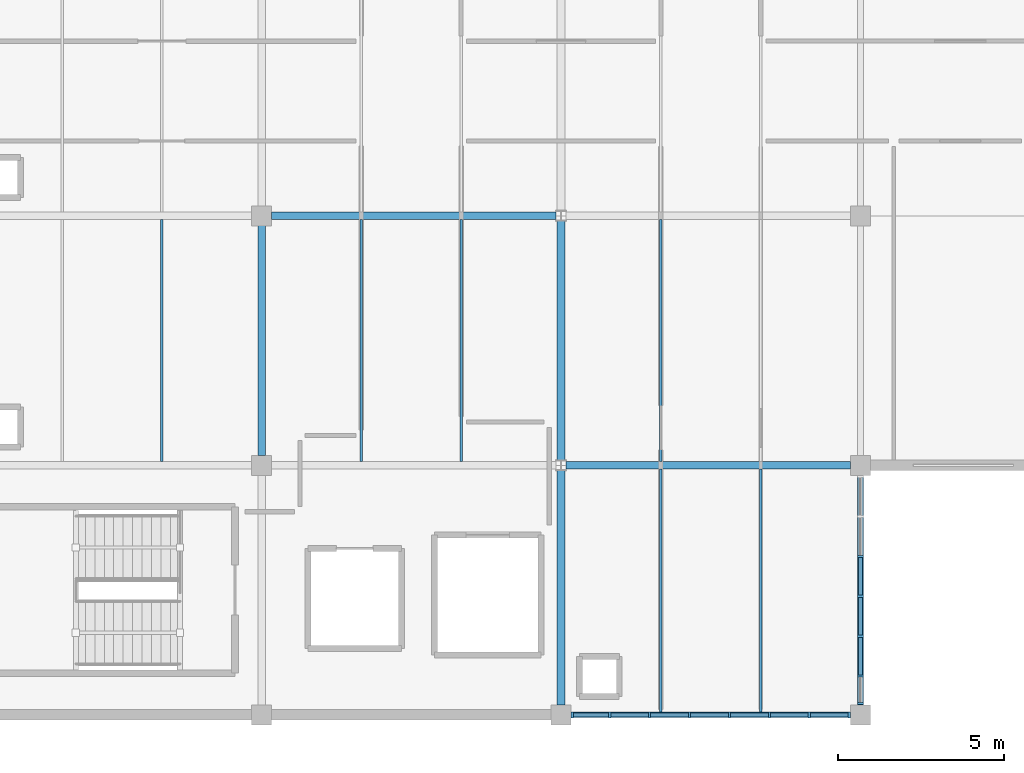
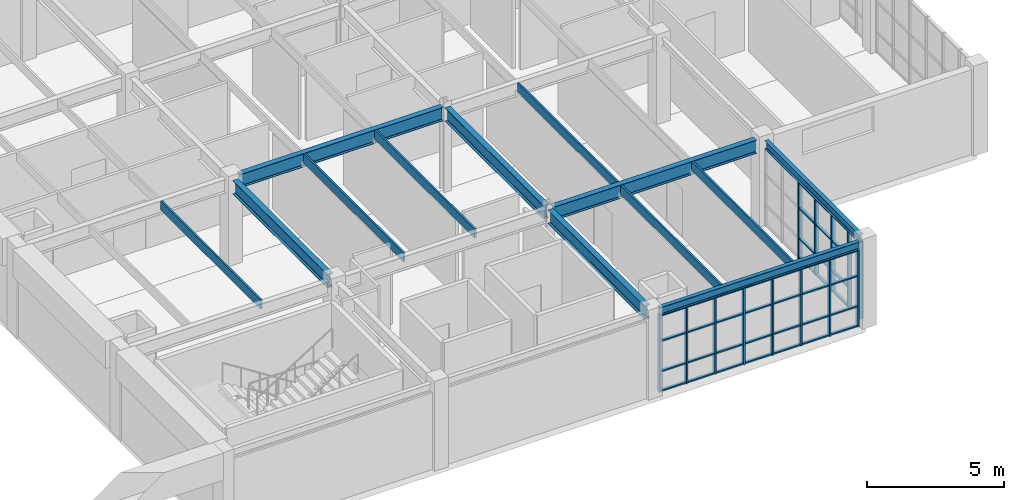
# One storey, part 20 of 76: 53 members, 13 beams, 2 elements without a shape of their own.
"""IFC4 building model written with IfcOpenShell, lengths in metres."""

from ifc_helpers import new_model, si_unit, direction, frame, origin, origin_2d, place, context, subcontext, project, spatial, rectangle, i_section, extrude, material, layer, layer_set, material_profile, profile_set, type_object, element, aggregate, save


model = new_model("IFC4")

# Units and contexts
model_context = context("Model", 3, precision=1e-05, world=origin(), true_north=direction((0.0, 1.0)))
body_context = subcontext(model_context, "Body", "Model", "MODEL_VIEW")
ifc_project = project(units=[si_unit("LENGTHUNIT", "METRE"), si_unit("AREAUNIT", "SQUARE_METRE"), si_unit("VOLUMEUNIT", "CUBIC_METRE"), si_unit("PLANEANGLEUNIT", "RADIAN"), si_unit("MASSUNIT", "GRAM", prefix="KILO")], contexts=[model_context])

# Site, building, storey
site_placement = place(None, origin())
site = spatial("IfcSite", under=ifc_project, at=site_placement, CompositionType="ELEMENT")
building_placement = place(site_placement, origin())
building = spatial("IfcBuilding", under=site, at=building_placement, Name="Marnridge Secondary College", CompositionType="ELEMENT")
storey_placement = place(building_placement, frame((0.0, 0.0, 4.5)))
storey = spatial("IfcBuildingStorey", under=building, at=storey_placement, Name="L01", CompositionType="ELEMENT", Elevation=4.5)

# Beams
ifc_material_1 = material(Name="Engineered timber LVL E13.2", Category="wood")
ifc_material_profile_1 = material_profile(ifc_material_1, rectangle(XDim=0.074951171875, YDim=0.39990234375, at=origin_2d()), Name="LVL 75x400")
ifc_profile_set_1 = profile_set([ifc_material_profile_1], Name="Engineered timber LVL E13.2")
beam_type_1 = type_object("IfcBeamType", Name="BM-LVL400-INT", PredefinedType="JOIST", material=ifc_profile_set_1)
for number, where, z_axis, x_axis, name in (
    (1, (96.0, 7.60791015625, 3.570068359375), (0.0, 1.0, 0.0), (-1.0, 0.0, 0.0), "Beam BJ-L01-0545"),
    (2, (102.0, 7.60791015625, 3.570068359375), (0.0, 1.0, 0.0), (-1.0, 0.0, 0.0), "Beam BJ-L01-0550"),
    (3, (105.0, 7.60791015625, 3.570068359375), (0.0, 1.0, 0.0), (-1.0, 0.0, 0.0), "Beam BJ-L01-0551"),
):
    element("IfcBeam", number, at=place(storey_placement, frame(where, z_axis=z_axis, x_axis=x_axis)), inside=storey, type_object=beam_type_1, Name=name, PredefinedType="JOIST", context=body_context, shape_type="SweptSolid", body=[
        extrude(rectangle(XDim=0.074951171875, YDim=0.39990234375, at=origin_2d()), origin(), (0.0, 0.0, 1.0), 7.2841796875),
    ])
for number, where, z_axis, x_axis, name in (
    (4, (111.0, 0.07958984375, 3.570068359375), (0.0, 1.0, 0.0), (-1.0, 0.0, 0.0), "Beam BJ-L01-0556"),
    (5, (114.0, 0.07958984375, 3.570068359375), (0.0, 1.0, 0.0), (-1.0, 0.0, 0.0), "Beam BJ-L01-0557"),
):
    element("IfcBeam", number, at=place(storey_placement, frame(where, z_axis=z_axis, x_axis=x_axis)), inside=storey, type_object=beam_type_1, Name=name, PredefinedType="JOIST", context=body_context, shape_type="SweptSolid", body=[
        extrude(rectangle(XDim=0.074951171875, YDim=0.39990234375, at=origin_2d()), origin(), (0.0, 0.0, 1.0), 7.3125),
    ])
beam_1_placement = place(storey_placement, frame((111.0, 7.60791015625, 3.570068359375), z_axis=(0.0, 1.0, 0.0), x_axis=(-1.0, 0.0, 0.0)))
element("IfcBeam", 6, at=beam_1_placement, inside=storey, type_object=beam_type_1, Name="Beam BJ-L01-0558", PredefinedType="JOIST", context=body_context, shape_type="SweptSolid", body=[
    extrude(rectangle(XDim=0.074951171875, YDim=0.39990234375, at=origin_2d()), origin(), (0.0, 0.0, 1.0), 7.2841796875),
])
ifc_material_2 = material(Name="Structural steel Grade 350 (AS/NZS 3679.1/.2, fy = 340-360 MPa)", Category="steel")
ifc_material_profile_2 = material_profile(ifc_material_2, i_section(OverallWidth=0.1708984375, OverallDepth=0.35205078125, WebThickness=0.0068359375, FlangeThickness=0.009765625, FilletRadius=0.011474609375, at=origin_2d()), Name="360UB44.7")
ifc_profile_set_2 = profile_set([ifc_material_profile_2], Name="Structural steel Grade 350 (AS/NZS 3679.1/.2, fy = 340-360 MPa)")
beam_type_2 = type_object("IfcBeamType", Name="BM-UB360-EXT", PredefinedType="SPANDREL", material=ifc_profile_set_2)
beam_2_placement = place(storey_placement, frame((108.2939453125, 0.0, 3.593994140625), z_axis=(1.0, 0.0, 0.0), x_axis=(0.0, 1.0, 0.0)))
element("IfcBeam", 7, at=beam_2_placement, inside=storey, type_object=beam_type_2, Name="Beam BS-L01-0535", PredefinedType="SPANDREL", context=body_context, shape_type="SweptSolid", body=[
    extrude(i_section(OverallWidth=0.1708984375, OverallDepth=0.35205078125, WebThickness=0.0068359375, FlangeThickness=0.009765625, FilletRadius=0.011474609375, at=origin_2d()), origin(), (0.0, 0.0, 1.0), 8.412109375),
])
beam_3_placement = place(storey_placement, frame((117.0, 0.2939453125, 3.593994140625), z_axis=(0.0, 1.0, 0.0), x_axis=(-1.0, 0.0, 0.0)))
element("IfcBeam", 8, at=beam_3_placement, inside=storey, type_object=beam_type_2, Name="Beam BS-L01-0537", PredefinedType="SPANDREL", context=body_context, shape_type="SweptSolid", body=[
    extrude(i_section(OverallWidth=0.1708984375, OverallDepth=0.35205078125, WebThickness=0.0068359375, FlangeThickness=0.009765625, FilletRadius=0.011474609375, at=origin_2d()), origin(), (0.0, 0.0, 1.0), 6.912109375),
])
ifc_material_3 = material(Name="Structural steel Grade 350 (AS/NZS 3679.1/.2, fy = 340-360 MPa)", Category="steel")
ifc_material_profile_3 = material_profile(ifc_material_3, i_section(OverallWidth=0.2275390625, OverallDepth=0.602294921875, WebThickness=0.010498046875, FlangeThickness=0.014892578125, FilletRadius=0.013916015625, at=origin_2d()), Name="610UB101")
ifc_profile_set_3 = profile_set([ifc_material_profile_3], Name="Structural steel Grade 350 (AS/NZS 3679.1/.2, fy = 340-360 MPa)")
beam_type_3 = type_object("IfcBeamType", Name="BM-UB610A-INT", PredefinedType="BEAM", material=ifc_profile_set_3)
beam_4_placement = place(storey_placement, frame((99.0, 7.7939453125, 3.468994140625), z_axis=(0.0, 1.0, 0.0), x_axis=(-1.0, 0.0, 0.0)))
element("IfcBeam", 9, at=beam_4_placement, inside=storey, type_object=beam_type_3, Name="Beam B-L01-0521", PredefinedType="BEAM", context=body_context, shape_type="SweptSolid", body=[
    extrude(i_section(OverallWidth=0.2275390625, OverallDepth=0.602294921875, WebThickness=0.010498046875, FlangeThickness=0.014892578125, FilletRadius=0.013916015625, at=origin_2d()), origin(), (0.0, 0.0, 1.0), 6.912109375),
])
beam_5_placement = place(storey_placement, frame((108.0, 0.2939453125, 3.468994140625), z_axis=(0.0, 1.0, 0.0), x_axis=(-1.0, 0.0, 0.0)))
element("IfcBeam", 10, at=beam_5_placement, inside=storey, type_object=beam_type_3, Name="Beam B-L01-0528", PredefinedType="BEAM", context=body_context, shape_type="SweptSolid", body=[
    extrude(i_section(OverallWidth=0.2275390625, OverallDepth=0.602294921875, WebThickness=0.010498046875, FlangeThickness=0.014892578125, FilletRadius=0.013916015625, at=origin_2d()), origin(), (0.0, 0.0, 1.0), 7.0517578125),
])
beam_6_placement = place(storey_placement, frame((99.2939453125, 15.0, 3.468994140625), z_axis=(1.0, 0.0, 0.0), x_axis=(0.0, 1.0, 0.0)))
element("IfcBeam", 11, at=beam_6_placement, inside=storey, type_object=beam_type_3, Name="Beam B-L01-0529", PredefinedType="BEAM", context=body_context, shape_type="SweptSolid", body=[
    extrude(i_section(OverallWidth=0.2275390625, OverallDepth=0.602294921875, WebThickness=0.010498046875, FlangeThickness=0.014892578125, FilletRadius=0.013916015625, at=origin_2d()), origin(), (0.0, 0.0, 1.0), 8.557373046875),
])
beam_7_placement = place(storey_placement, frame((108.0, 7.654296875, 3.468994140625), z_axis=(0.0, 1.0, 0.0), x_axis=(-1.0, 0.0, 0.0)))
element("IfcBeam", 12, at=beam_7_placement, inside=storey, type_object=beam_type_3, Name="Beam B-L01-0530", PredefinedType="BEAM", context=body_context, shape_type="SweptSolid", body=[
    extrude(i_section(OverallWidth=0.2275390625, OverallDepth=0.602294921875, WebThickness=0.010498046875, FlangeThickness=0.014892578125, FilletRadius=0.013916015625, at=origin_2d()), origin(), (0.0, 0.0, 1.0), 7.19140625),
])
beam_8_placement = place(storey_placement, frame((108.148681640625, 7.5, 3.468994140625), z_axis=(1.0, 0.0, 0.0), x_axis=(0.0, 1.0, 0.0)))
element("IfcBeam", 13, at=beam_8_placement, inside=storey, type_object=beam_type_3, Name="Beam B-L01-0536", PredefinedType="BEAM", context=body_context, shape_type="SweptSolid", body=[
    extrude(i_section(OverallWidth=0.2275390625, OverallDepth=0.602294921875, WebThickness=0.010498046875, FlangeThickness=0.014892578125, FilletRadius=0.013916015625, at=origin_2d()), origin(), (0.0, 0.0, 1.0), 8.557373046875),
])

# Curtain wall, members
ifc_material_4 = material(Name="Thermally broken aluminium and low-E glazing", Category="aluminium")
ifc_layer = layer(ifc_material_4, 0.179931640625)
ifc_layer_set = layer_set([ifc_layer], Name="CW-MOD-1200")
curtain_wall_type = type_object("IfcCurtainWallType", Name="CW-MOD-1200", PredefinedType="NOTDEFINED", material=ifc_layer_set)
curtain_wall_1_placement = place(storey_placement, origin())
curtain_wall_1 = element("IfcCurtainWall", 14, at=curtain_wall_1_placement, inside=storey, type_object=curtain_wall_type, Name="Unitised curtain wall CW-L01-044", PredefinedType="NOTDEFINED")
ifc_material_5 = material(Name="Anodised aluminium 6063-T6", Category="aluminium")
ifc_material_profile_4 = material_profile(ifc_material_5, rectangle(XDim=0.06494140625, YDim=0.179931640625, at=origin_2d()), Name="ALU 65x180")
ifc_profile_set_4 = profile_set([ifc_material_profile_4], Name="Anodised aluminium 6063-T6")
member_type_1 = type_object("IfcMemberType", Name="CWM-ALU180", PredefinedType="MULLION", material=ifc_profile_set_4)
member_1_placement = place(storey_placement, frame((117.0, 4.763427734375, 0.0), z_axis=(0.0, 0.0, 1.0), x_axis=(0.0, -1.0, 0.0)))
member_1 = element("IfcMember", 15, at=member_1_placement, type_object=member_type_1, Name="CW-L01-044 mullion 3", PredefinedType="MULLION", context=body_context, shape_type="SweptSolid", body=[
    extrude(rectangle(XDim=0.06494140625, YDim=0.179931640625, at=origin_2d()), origin(), (0.0, 0.0, 1.0), 3.409912109375),
])
member_2_placement = place(storey_placement, frame((117.0, 3.5634765625, 0.0), z_axis=(0.0, 0.0, 1.0), x_axis=(0.0, -1.0, 0.0)))
member_2 = element("IfcMember", 16, at=member_2_placement, type_object=member_type_1, Name="CW-L01-044 mullion 4", PredefinedType="MULLION", context=body_context, shape_type="SweptSolid", body=[
    extrude(rectangle(XDim=0.06494140625, YDim=0.179931640625, at=origin_2d()), origin(), (0.0, 0.0, 1.0), 3.409912109375),
])
member_3_placement = place(storey_placement, frame((117.0, 2.363525390625, 0.0), z_axis=(0.0, 0.0, 1.0), x_axis=(0.0, -1.0, 0.0)))
member_3 = element("IfcMember", 17, at=member_3_placement, type_object=member_type_1, Name="CW-L01-044 mullion 5", PredefinedType="MULLION", context=body_context, shape_type="SweptSolid", body=[
    extrude(rectangle(XDim=0.06494140625, YDim=0.179931640625, at=origin_2d()), origin(), (0.0, 0.0, 1.0), 3.409912109375),
])
member_4_placement = place(storey_placement, frame((117.0, 1.16357421875, 0.0), z_axis=(0.0, 0.0, 1.0), x_axis=(0.0, -1.0, 0.0)))
member_4 = element("IfcMember", 18, at=member_4_placement, type_object=member_type_1, Name="CW-L01-044 mullion 6", PredefinedType="MULLION", context=body_context, shape_type="SweptSolid", body=[
    extrude(rectangle(XDim=0.06494140625, YDim=0.179931640625, at=origin_2d()), origin(), (0.0, 0.0, 1.0), 3.409912109375),
])
member_5_placement = place(storey_placement, frame((117.0, 0.33642578125, 0.0), z_axis=(0.0, 0.0, 1.0), x_axis=(0.0, -1.0, 0.0)))
member_5 = element("IfcMember", 19, at=member_5_placement, type_object=member_type_1, Name="CW-L01-044 mullion 7", PredefinedType="MULLION", context=body_context, shape_type="SweptSolid", body=[
    extrude(rectangle(XDim=0.06494140625, YDim=0.179931640625, at=origin_2d()), origin(), (0.0, 0.0, 1.0), 3.409912109375),
])

curtain_wall_2_placement = place(storey_placement, origin())
curtain_wall_2 = element("IfcCurtainWall", 20, at=curtain_wall_2_placement, inside=storey, type_object=curtain_wall_type, Name="Unitised curtain wall CW-L01-045", PredefinedType="NOTDEFINED")
member_6_placement = place(storey_placement, frame((116.66357421875, 0.0, 0.0), z_axis=(0.0, 0.0, 1.0), x_axis=(-1.0, 0.0, 0.0)))
member_6 = element("IfcMember", 21, at=member_6_placement, type_object=member_type_1, Name="CW-L01-045 mullion 1", PredefinedType="MULLION", context=body_context, shape_type="SweptSolid", body=[
    extrude(rectangle(XDim=0.06494140625, YDim=0.179931640625, at=origin_2d()), origin(), (0.0, 0.0, 1.0), 3.409912109375),
])
member_7_placement = place(storey_placement, frame((115.46337890625, 0.0, 0.0), z_axis=(0.0, 0.0, 1.0), x_axis=(-1.0, 0.0, 0.0)))
member_7 = element("IfcMember", 22, at=member_7_placement, type_object=member_type_1, Name="CW-L01-045 mullion 2", PredefinedType="MULLION", context=body_context, shape_type="SweptSolid", body=[
    extrude(rectangle(XDim=0.06494140625, YDim=0.179931640625, at=origin_2d()), origin(), (0.0, 0.0, 1.0), 3.409912109375),
])
member_8_placement = place(storey_placement, frame((114.263427734375, 0.0, 0.0), z_axis=(0.0, 0.0, 1.0), x_axis=(-1.0, 0.0, 0.0)))
member_8 = element("IfcMember", 23, at=member_8_placement, type_object=member_type_1, Name="CW-L01-045 mullion 3", PredefinedType="MULLION", context=body_context, shape_type="SweptSolid", body=[
    extrude(rectangle(XDim=0.06494140625, YDim=0.179931640625, at=origin_2d()), origin(), (0.0, 0.0, 1.0), 3.409912109375),
])
member_9_placement = place(storey_placement, frame((113.0634765625, 0.0, 0.0), z_axis=(0.0, 0.0, 1.0), x_axis=(-1.0, 0.0, 0.0)))
member_9 = element("IfcMember", 24, at=member_9_placement, type_object=member_type_1, Name="CW-L01-045 mullion 4", PredefinedType="MULLION", context=body_context, shape_type="SweptSolid", body=[
    extrude(rectangle(XDim=0.06494140625, YDim=0.179931640625, at=origin_2d()), origin(), (0.0, 0.0, 1.0), 3.409912109375),
])
member_10_placement = place(storey_placement, frame((111.863525390625, 0.0, 0.0), z_axis=(0.0, 0.0, 1.0), x_axis=(-1.0, 0.0, 0.0)))
member_10 = element("IfcMember", 25, at=member_10_placement, type_object=member_type_1, Name="CW-L01-045 mullion 5", PredefinedType="MULLION", context=body_context, shape_type="SweptSolid", body=[
    extrude(rectangle(XDim=0.06494140625, YDim=0.179931640625, at=origin_2d()), origin(), (0.0, 0.0, 1.0), 3.409912109375),
])
member_11_placement = place(storey_placement, frame((110.66357421875, 0.0, 0.0), z_axis=(0.0, 0.0, 1.0), x_axis=(-1.0, 0.0, 0.0)))
member_11 = element("IfcMember", 26, at=member_11_placement, type_object=member_type_1, Name="CW-L01-045 mullion 6", PredefinedType="MULLION", context=body_context, shape_type="SweptSolid", body=[
    extrude(rectangle(XDim=0.06494140625, YDim=0.179931640625, at=origin_2d()), origin(), (0.0, 0.0, 1.0), 3.409912109375),
])
member_12_placement = place(storey_placement, frame((109.46337890625, 0.0, 0.0), z_axis=(0.0, 0.0, 1.0), x_axis=(-1.0, 0.0, 0.0)))
member_12 = element("IfcMember", 27, at=member_12_placement, type_object=member_type_1, Name="CW-L01-045 mullion 7", PredefinedType="MULLION", context=body_context, shape_type="SweptSolid", body=[
    extrude(rectangle(XDim=0.06494140625, YDim=0.179931640625, at=origin_2d()), origin(), (0.0, 0.0, 1.0), 3.409912109375),
])
member_13_placement = place(storey_placement, frame((108.33642578125, 0.0, 0.0), z_axis=(0.0, 0.0, 1.0), x_axis=(-1.0, 0.0, 0.0)))
member_13 = element("IfcMember", 28, at=member_13_placement, type_object=member_type_1, Name="CW-L01-045 mullion 8", PredefinedType="MULLION", context=body_context, shape_type="SweptSolid", body=[
    extrude(rectangle(XDim=0.06494140625, YDim=0.179931640625, at=origin_2d()), origin(), (0.0, 0.0, 1.0), 3.409912109375),
])

# Member
ifc_material_6 = material(Name="Anodised aluminium 6063-T6", Category="aluminium")
ifc_material_profile_5 = material_profile(ifc_material_6, rectangle(XDim=0.06005859375, YDim=0.1201171875, at=origin_2d()), Name="ALU 60x120")
ifc_profile_set_5 = profile_set([ifc_material_profile_5], Name="Anodised aluminium 6063-T6")
member_type_2 = type_object("IfcMemberType", Name="CWT-ALU120", PredefinedType="USERDEFINED", material=ifc_profile_set_5)
member_14_placement = place(storey_placement, frame((117.0, 4.73095703125, 0.030029296875), z_axis=(0.0, -1.0, 0.0), x_axis=(0.0, 0.0, 1.0)))
member_14 = element("IfcMember", 29, at=member_14_placement, type_object=member_type_2, Name="CW-L01-044 transom 3.1", ObjectType="TRANSOM", PredefinedType="USERDEFINED", context=body_context, shape_type="SweptSolid", body=[
    extrude(rectangle(XDim=0.06005859375, YDim=0.1201171875, at=origin_2d()), origin(), (0.0, 0.0, 1.0), 1.135009765625),
])

member_15_placement = place(storey_placement, frame((117.0, 4.73095703125, 0.89990234375), z_axis=(0.0, -1.0, 0.0), x_axis=(0.0, 0.0, 1.0)))
member_15 = element("IfcMember", 30, at=member_15_placement, type_object=member_type_2, Name="CW-L01-044 transom 3.2", ObjectType="TRANSOM", PredefinedType="USERDEFINED", context=body_context, shape_type="SweptSolid", body=[
    extrude(rectangle(XDim=0.06005859375, YDim=0.1201171875, at=origin_2d()), origin(), (0.0, 0.0, 1.0), 1.135009765625),
])

member_16_placement = place(storey_placement, frame((117.0, 4.73095703125, 2.25), z_axis=(0.0, -1.0, 0.0), x_axis=(0.0, 0.0, 1.0)))
member_16 = element("IfcMember", 31, at=member_16_placement, type_object=member_type_2, Name="CW-L01-044 transom 3.3", ObjectType="TRANSOM", PredefinedType="USERDEFINED", context=body_context, shape_type="SweptSolid", body=[
    extrude(rectangle(XDim=0.06005859375, YDim=0.1201171875, at=origin_2d()), origin(), (0.0, 0.0, 1.0), 1.135009765625),
])

member_17_placement = place(storey_placement, frame((117.0, 4.73095703125, 3.3798828125), z_axis=(0.0, -1.0, 0.0), x_axis=(0.0, 0.0, 1.0)))
member_17 = element("IfcMember", 32, at=member_17_placement, type_object=member_type_2, Name="CW-L01-044 transom 3.4", ObjectType="TRANSOM", PredefinedType="USERDEFINED", context=body_context, shape_type="SweptSolid", body=[
    extrude(rectangle(XDim=0.06005859375, YDim=0.1201171875, at=origin_2d()), origin(), (0.0, 0.0, 1.0), 1.135009765625),
])

member_18_placement = place(storey_placement, frame((117.0, 3.531005859375, 0.030029296875), z_axis=(0.0, -1.0, 0.0), x_axis=(0.0, 0.0, 1.0)))
member_18 = element("IfcMember", 33, at=member_18_placement, type_object=member_type_2, Name="CW-L01-044 transom 4.1", ObjectType="TRANSOM", PredefinedType="USERDEFINED", context=body_context, shape_type="SweptSolid", body=[
    extrude(rectangle(XDim=0.06005859375, YDim=0.1201171875, at=origin_2d()), origin(), (0.0, 0.0, 1.0), 1.135009765625),
])

member_19_placement = place(storey_placement, frame((117.0, 3.531005859375, 0.89990234375), z_axis=(0.0, -1.0, 0.0), x_axis=(0.0, 0.0, 1.0)))
member_19 = element("IfcMember", 34, at=member_19_placement, type_object=member_type_2, Name="CW-L01-044 transom 4.2", ObjectType="TRANSOM", PredefinedType="USERDEFINED", context=body_context, shape_type="SweptSolid", body=[
    extrude(rectangle(XDim=0.06005859375, YDim=0.1201171875, at=origin_2d()), origin(), (0.0, 0.0, 1.0), 1.135009765625),
])

member_20_placement = place(storey_placement, frame((117.0, 3.531005859375, 2.25), z_axis=(0.0, -1.0, 0.0), x_axis=(0.0, 0.0, 1.0)))
member_20 = element("IfcMember", 35, at=member_20_placement, type_object=member_type_2, Name="CW-L01-044 transom 4.3", ObjectType="TRANSOM", PredefinedType="USERDEFINED", context=body_context, shape_type="SweptSolid", body=[
    extrude(rectangle(XDim=0.06005859375, YDim=0.1201171875, at=origin_2d()), origin(), (0.0, 0.0, 1.0), 1.135009765625),
])

member_21_placement = place(storey_placement, frame((117.0, 3.531005859375, 3.3798828125), z_axis=(0.0, -1.0, 0.0), x_axis=(0.0, 0.0, 1.0)))
member_21 = element("IfcMember", 36, at=member_21_placement, type_object=member_type_2, Name="CW-L01-044 transom 4.4", ObjectType="TRANSOM", PredefinedType="USERDEFINED", context=body_context, shape_type="SweptSolid", body=[
    extrude(rectangle(XDim=0.06005859375, YDim=0.1201171875, at=origin_2d()), origin(), (0.0, 0.0, 1.0), 1.135009765625),
])

member_22_placement = place(storey_placement, frame((117.0, 2.3310546875, 0.030029296875), z_axis=(0.0, -1.0, 0.0), x_axis=(0.0, 0.0, 1.0)))
member_22 = element("IfcMember", 37, at=member_22_placement, type_object=member_type_2, Name="CW-L01-044 transom 5.1", ObjectType="TRANSOM", PredefinedType="USERDEFINED", context=body_context, shape_type="SweptSolid", body=[
    extrude(rectangle(XDim=0.06005859375, YDim=0.1201171875, at=origin_2d()), origin(), (0.0, 0.0, 1.0), 1.135009765625),
])

member_23_placement = place(storey_placement, frame((117.0, 2.3310546875, 0.89990234375), z_axis=(0.0, -1.0, 0.0), x_axis=(0.0, 0.0, 1.0)))
member_23 = element("IfcMember", 38, at=member_23_placement, type_object=member_type_2, Name="CW-L01-044 transom 5.2", ObjectType="TRANSOM", PredefinedType="USERDEFINED", context=body_context, shape_type="SweptSolid", body=[
    extrude(rectangle(XDim=0.06005859375, YDim=0.1201171875, at=origin_2d()), origin(), (0.0, 0.0, 1.0), 1.135009765625),
])

member_24_placement = place(storey_placement, frame((117.0, 2.3310546875, 2.25), z_axis=(0.0, -1.0, 0.0), x_axis=(0.0, 0.0, 1.0)))
member_24 = element("IfcMember", 39, at=member_24_placement, type_object=member_type_2, Name="CW-L01-044 transom 5.3", ObjectType="TRANSOM", PredefinedType="USERDEFINED", context=body_context, shape_type="SweptSolid", body=[
    extrude(rectangle(XDim=0.06005859375, YDim=0.1201171875, at=origin_2d()), origin(), (0.0, 0.0, 1.0), 1.135009765625),
])

member_25_placement = place(storey_placement, frame((117.0, 2.3310546875, 3.3798828125), z_axis=(0.0, -1.0, 0.0), x_axis=(0.0, 0.0, 1.0)))
member_25 = element("IfcMember", 40, at=member_25_placement, type_object=member_type_2, Name="CW-L01-044 transom 5.4", ObjectType="TRANSOM", PredefinedType="USERDEFINED", context=body_context, shape_type="SweptSolid", body=[
    extrude(rectangle(XDim=0.06005859375, YDim=0.1201171875, at=origin_2d()), origin(), (0.0, 0.0, 1.0), 1.135009765625),
])

aggregate(curtain_wall_1, [member_1, member_2, member_3, member_4, member_5, member_14, member_15, member_16, member_17, member_18, member_19, member_20, member_21, member_22, member_23, member_24, member_25])

member_26_placement = place(storey_placement, frame((116.631103515625, 0.0, 0.030029296875), z_axis=(-1.0, 0.0, 0.0), x_axis=(0.0, 0.0, 1.0)))
member_26 = element("IfcMember", 41, at=member_26_placement, type_object=member_type_2, Name="CW-L01-045 transom 1.1", ObjectType="TRANSOM", PredefinedType="USERDEFINED", context=body_context, shape_type="SweptSolid", body=[
    extrude(rectangle(XDim=0.06005859375, YDim=0.1201171875, at=origin_2d()), origin(), (0.0, 0.0, 1.0), 1.135009765625),
])

member_27_placement = place(storey_placement, frame((116.631103515625, 0.0, 0.89990234375), z_axis=(-1.0, 0.0, 0.0), x_axis=(0.0, 0.0, 1.0)))
member_27 = element("IfcMember", 42, at=member_27_placement, type_object=member_type_2, Name="CW-L01-045 transom 1.2", ObjectType="TRANSOM", PredefinedType="USERDEFINED", context=body_context, shape_type="SweptSolid", body=[
    extrude(rectangle(XDim=0.06005859375, YDim=0.1201171875, at=origin_2d()), origin(), (0.0, 0.0, 1.0), 1.135009765625),
])

member_28_placement = place(storey_placement, frame((116.631103515625, 0.0, 2.25), z_axis=(-1.0, 0.0, 0.0), x_axis=(0.0, 0.0, 1.0)))
member_28 = element("IfcMember", 43, at=member_28_placement, type_object=member_type_2, Name="CW-L01-045 transom 1.3", ObjectType="TRANSOM", PredefinedType="USERDEFINED", context=body_context, shape_type="SweptSolid", body=[
    extrude(rectangle(XDim=0.06005859375, YDim=0.1201171875, at=origin_2d()), origin(), (0.0, 0.0, 1.0), 1.135009765625),
])

member_29_placement = place(storey_placement, frame((116.631103515625, 0.0, 3.3798828125), z_axis=(-1.0, 0.0, 0.0), x_axis=(0.0, 0.0, 1.0)))
member_29 = element("IfcMember", 44, at=member_29_placement, type_object=member_type_2, Name="CW-L01-045 transom 1.4", ObjectType="TRANSOM", PredefinedType="USERDEFINED", context=body_context, shape_type="SweptSolid", body=[
    extrude(rectangle(XDim=0.06005859375, YDim=0.1201171875, at=origin_2d()), origin(), (0.0, 0.0, 1.0), 1.135009765625),
])

member_30_placement = place(storey_placement, frame((115.430908203125, 0.0, 0.030029296875), z_axis=(-1.0, 0.0, 0.0), x_axis=(0.0, 0.0, 1.0)))
member_30 = element("IfcMember", 45, at=member_30_placement, type_object=member_type_2, Name="CW-L01-045 transom 2.1", ObjectType="TRANSOM", PredefinedType="USERDEFINED", context=body_context, shape_type="SweptSolid", body=[
    extrude(rectangle(XDim=0.06005859375, YDim=0.1201171875, at=origin_2d()), origin(), (0.0, 0.0, 1.0), 1.135009765625),
])

member_31_placement = place(storey_placement, frame((115.430908203125, 0.0, 0.89990234375), z_axis=(-1.0, 0.0, 0.0), x_axis=(0.0, 0.0, 1.0)))
member_31 = element("IfcMember", 46, at=member_31_placement, type_object=member_type_2, Name="CW-L01-045 transom 2.2", ObjectType="TRANSOM", PredefinedType="USERDEFINED", context=body_context, shape_type="SweptSolid", body=[
    extrude(rectangle(XDim=0.06005859375, YDim=0.1201171875, at=origin_2d()), origin(), (0.0, 0.0, 1.0), 1.135009765625),
])

member_32_placement = place(storey_placement, frame((115.430908203125, 0.0, 2.25), z_axis=(-1.0, 0.0, 0.0), x_axis=(0.0, 0.0, 1.0)))
member_32 = element("IfcMember", 47, at=member_32_placement, type_object=member_type_2, Name="CW-L01-045 transom 2.3", ObjectType="TRANSOM", PredefinedType="USERDEFINED", context=body_context, shape_type="SweptSolid", body=[
    extrude(rectangle(XDim=0.06005859375, YDim=0.1201171875, at=origin_2d()), origin(), (0.0, 0.0, 1.0), 1.135009765625),
])

member_33_placement = place(storey_placement, frame((115.430908203125, 0.0, 3.3798828125), z_axis=(-1.0, 0.0, 0.0), x_axis=(0.0, 0.0, 1.0)))
member_33 = element("IfcMember", 48, at=member_33_placement, type_object=member_type_2, Name="CW-L01-045 transom 2.4", ObjectType="TRANSOM", PredefinedType="USERDEFINED", context=body_context, shape_type="SweptSolid", body=[
    extrude(rectangle(XDim=0.06005859375, YDim=0.1201171875, at=origin_2d()), origin(), (0.0, 0.0, 1.0), 1.135009765625),
])

member_34_placement = place(storey_placement, frame((114.23095703125, 0.0, 0.030029296875), z_axis=(-1.0, 0.0, 0.0), x_axis=(0.0, 0.0, 1.0)))
member_34 = element("IfcMember", 49, at=member_34_placement, type_object=member_type_2, Name="CW-L01-045 transom 3.1", ObjectType="TRANSOM", PredefinedType="USERDEFINED", context=body_context, shape_type="SweptSolid", body=[
    extrude(rectangle(XDim=0.06005859375, YDim=0.1201171875, at=origin_2d()), origin(), (0.0, 0.0, 1.0), 1.135009765625),
])

member_35_placement = place(storey_placement, frame((114.23095703125, 0.0, 0.89990234375), z_axis=(-1.0, 0.0, 0.0), x_axis=(0.0, 0.0, 1.0)))
member_35 = element("IfcMember", 50, at=member_35_placement, type_object=member_type_2, Name="CW-L01-045 transom 3.2", ObjectType="TRANSOM", PredefinedType="USERDEFINED", context=body_context, shape_type="SweptSolid", body=[
    extrude(rectangle(XDim=0.06005859375, YDim=0.1201171875, at=origin_2d()), origin(), (0.0, 0.0, 1.0), 1.135009765625),
])

member_36_placement = place(storey_placement, frame((114.23095703125, 0.0, 2.25), z_axis=(-1.0, 0.0, 0.0), x_axis=(0.0, 0.0, 1.0)))
member_36 = element("IfcMember", 51, at=member_36_placement, type_object=member_type_2, Name="CW-L01-045 transom 3.3", ObjectType="TRANSOM", PredefinedType="USERDEFINED", context=body_context, shape_type="SweptSolid", body=[
    extrude(rectangle(XDim=0.06005859375, YDim=0.1201171875, at=origin_2d()), origin(), (0.0, 0.0, 1.0), 1.135009765625),
])

member_37_placement = place(storey_placement, frame((114.23095703125, 0.0, 3.3798828125), z_axis=(-1.0, 0.0, 0.0), x_axis=(0.0, 0.0, 1.0)))
member_37 = element("IfcMember", 52, at=member_37_placement, type_object=member_type_2, Name="CW-L01-045 transom 3.4", ObjectType="TRANSOM", PredefinedType="USERDEFINED", context=body_context, shape_type="SweptSolid", body=[
    extrude(rectangle(XDim=0.06005859375, YDim=0.1201171875, at=origin_2d()), origin(), (0.0, 0.0, 1.0), 1.135009765625),
])

member_38_placement = place(storey_placement, frame((113.031005859375, 0.0, 0.030029296875), z_axis=(-1.0, 0.0, 0.0), x_axis=(0.0, 0.0, 1.0)))
member_38 = element("IfcMember", 53, at=member_38_placement, type_object=member_type_2, Name="CW-L01-045 transom 4.1", ObjectType="TRANSOM", PredefinedType="USERDEFINED", context=body_context, shape_type="SweptSolid", body=[
    extrude(rectangle(XDim=0.06005859375, YDim=0.1201171875, at=origin_2d()), origin(), (0.0, 0.0, 1.0), 1.135009765625),
])

member_39_placement = place(storey_placement, frame((113.031005859375, 0.0, 0.89990234375), z_axis=(-1.0, 0.0, 0.0), x_axis=(0.0, 0.0, 1.0)))
member_39 = element("IfcMember", 54, at=member_39_placement, type_object=member_type_2, Name="CW-L01-045 transom 4.2", ObjectType="TRANSOM", PredefinedType="USERDEFINED", context=body_context, shape_type="SweptSolid", body=[
    extrude(rectangle(XDim=0.06005859375, YDim=0.1201171875, at=origin_2d()), origin(), (0.0, 0.0, 1.0), 1.135009765625),
])

member_40_placement = place(storey_placement, frame((113.031005859375, 0.0, 2.25), z_axis=(-1.0, 0.0, 0.0), x_axis=(0.0, 0.0, 1.0)))
member_40 = element("IfcMember", 55, at=member_40_placement, type_object=member_type_2, Name="CW-L01-045 transom 4.3", ObjectType="TRANSOM", PredefinedType="USERDEFINED", context=body_context, shape_type="SweptSolid", body=[
    extrude(rectangle(XDim=0.06005859375, YDim=0.1201171875, at=origin_2d()), origin(), (0.0, 0.0, 1.0), 1.135009765625),
])

member_41_placement = place(storey_placement, frame((113.031005859375, 0.0, 3.3798828125), z_axis=(-1.0, 0.0, 0.0), x_axis=(0.0, 0.0, 1.0)))
member_41 = element("IfcMember", 56, at=member_41_placement, type_object=member_type_2, Name="CW-L01-045 transom 4.4", ObjectType="TRANSOM", PredefinedType="USERDEFINED", context=body_context, shape_type="SweptSolid", body=[
    extrude(rectangle(XDim=0.06005859375, YDim=0.1201171875, at=origin_2d()), origin(), (0.0, 0.0, 1.0), 1.135009765625),
])

member_42_placement = place(storey_placement, frame((111.8310546875, 0.0, 0.030029296875), z_axis=(-1.0, 0.0, 0.0), x_axis=(0.0, 0.0, 1.0)))
member_42 = element("IfcMember", 57, at=member_42_placement, type_object=member_type_2, Name="CW-L01-045 transom 5.1", ObjectType="TRANSOM", PredefinedType="USERDEFINED", context=body_context, shape_type="SweptSolid", body=[
    extrude(rectangle(XDim=0.06005859375, YDim=0.1201171875, at=origin_2d()), origin(), (0.0, 0.0, 1.0), 1.135009765625),
])

member_43_placement = place(storey_placement, frame((111.8310546875, 0.0, 0.89990234375), z_axis=(-1.0, 0.0, 0.0), x_axis=(0.0, 0.0, 1.0)))
member_43 = element("IfcMember", 58, at=member_43_placement, type_object=member_type_2, Name="CW-L01-045 transom 5.2", ObjectType="TRANSOM", PredefinedType="USERDEFINED", context=body_context, shape_type="SweptSolid", body=[
    extrude(rectangle(XDim=0.06005859375, YDim=0.1201171875, at=origin_2d()), origin(), (0.0, 0.0, 1.0), 1.135009765625),
])

member_44_placement = place(storey_placement, frame((111.8310546875, 0.0, 2.25), z_axis=(-1.0, 0.0, 0.0), x_axis=(0.0, 0.0, 1.0)))
member_44 = element("IfcMember", 59, at=member_44_placement, type_object=member_type_2, Name="CW-L01-045 transom 5.3", ObjectType="TRANSOM", PredefinedType="USERDEFINED", context=body_context, shape_type="SweptSolid", body=[
    extrude(rectangle(XDim=0.06005859375, YDim=0.1201171875, at=origin_2d()), origin(), (0.0, 0.0, 1.0), 1.135009765625),
])

member_45_placement = place(storey_placement, frame((111.8310546875, 0.0, 3.3798828125), z_axis=(-1.0, 0.0, 0.0), x_axis=(0.0, 0.0, 1.0)))
member_45 = element("IfcMember", 60, at=member_45_placement, type_object=member_type_2, Name="CW-L01-045 transom 5.4", ObjectType="TRANSOM", PredefinedType="USERDEFINED", context=body_context, shape_type="SweptSolid", body=[
    extrude(rectangle(XDim=0.06005859375, YDim=0.1201171875, at=origin_2d()), origin(), (0.0, 0.0, 1.0), 1.135009765625),
])

member_46_placement = place(storey_placement, frame((110.631103515625, 0.0, 0.030029296875), z_axis=(-1.0, 0.0, 0.0), x_axis=(0.0, 0.0, 1.0)))
member_46 = element("IfcMember", 61, at=member_46_placement, type_object=member_type_2, Name="CW-L01-045 transom 6.1", ObjectType="TRANSOM", PredefinedType="USERDEFINED", context=body_context, shape_type="SweptSolid", body=[
    extrude(rectangle(XDim=0.06005859375, YDim=0.1201171875, at=origin_2d()), origin(), (0.0, 0.0, 1.0), 1.135009765625),
])

member_47_placement = place(storey_placement, frame((110.631103515625, 0.0, 0.89990234375), z_axis=(-1.0, 0.0, 0.0), x_axis=(0.0, 0.0, 1.0)))
member_47 = element("IfcMember", 62, at=member_47_placement, type_object=member_type_2, Name="CW-L01-045 transom 6.2", ObjectType="TRANSOM", PredefinedType="USERDEFINED", context=body_context, shape_type="SweptSolid", body=[
    extrude(rectangle(XDim=0.06005859375, YDim=0.1201171875, at=origin_2d()), origin(), (0.0, 0.0, 1.0), 1.135009765625),
])

member_48_placement = place(storey_placement, frame((110.631103515625, 0.0, 2.25), z_axis=(-1.0, 0.0, 0.0), x_axis=(0.0, 0.0, 1.0)))
member_48 = element("IfcMember", 63, at=member_48_placement, type_object=member_type_2, Name="CW-L01-045 transom 6.3", ObjectType="TRANSOM", PredefinedType="USERDEFINED", context=body_context, shape_type="SweptSolid", body=[
    extrude(rectangle(XDim=0.06005859375, YDim=0.1201171875, at=origin_2d()), origin(), (0.0, 0.0, 1.0), 1.135009765625),
])

member_49_placement = place(storey_placement, frame((110.631103515625, 0.0, 3.3798828125), z_axis=(-1.0, 0.0, 0.0), x_axis=(0.0, 0.0, 1.0)))
member_49 = element("IfcMember", 64, at=member_49_placement, type_object=member_type_2, Name="CW-L01-045 transom 6.4", ObjectType="TRANSOM", PredefinedType="USERDEFINED", context=body_context, shape_type="SweptSolid", body=[
    extrude(rectangle(XDim=0.06005859375, YDim=0.1201171875, at=origin_2d()), origin(), (0.0, 0.0, 1.0), 1.135009765625),
])

member_50_placement = place(storey_placement, frame((109.430908203125, 0.0, 0.030029296875), z_axis=(-1.0, 0.0, 0.0), x_axis=(0.0, 0.0, 1.0)))
member_50 = element("IfcMember", 65, at=member_50_placement, type_object=member_type_2, Name="CW-L01-045 transom 7.1", ObjectType="TRANSOM", PredefinedType="USERDEFINED", context=body_context, shape_type="SweptSolid", body=[
    extrude(rectangle(XDim=0.06005859375, YDim=0.1201171875, at=origin_2d()), origin(), (0.0, 0.0, 1.0), 1.06201171875),
])

member_51_placement = place(storey_placement, frame((109.430908203125, 0.0, 0.89990234375), z_axis=(-1.0, 0.0, 0.0), x_axis=(0.0, 0.0, 1.0)))
member_51 = element("IfcMember", 66, at=member_51_placement, type_object=member_type_2, Name="CW-L01-045 transom 7.2", ObjectType="TRANSOM", PredefinedType="USERDEFINED", context=body_context, shape_type="SweptSolid", body=[
    extrude(rectangle(XDim=0.06005859375, YDim=0.1201171875, at=origin_2d()), origin(), (0.0, 0.0, 1.0), 1.06201171875),
])

member_52_placement = place(storey_placement, frame((109.430908203125, 0.0, 2.25), z_axis=(-1.0, 0.0, 0.0), x_axis=(0.0, 0.0, 1.0)))
member_52 = element("IfcMember", 67, at=member_52_placement, type_object=member_type_2, Name="CW-L01-045 transom 7.3", ObjectType="TRANSOM", PredefinedType="USERDEFINED", context=body_context, shape_type="SweptSolid", body=[
    extrude(rectangle(XDim=0.06005859375, YDim=0.1201171875, at=origin_2d()), origin(), (0.0, 0.0, 1.0), 1.06201171875),
])

member_53_placement = place(storey_placement, frame((109.430908203125, 0.0, 3.3798828125), z_axis=(-1.0, 0.0, 0.0), x_axis=(0.0, 0.0, 1.0)))
member_53 = element("IfcMember", 68, at=member_53_placement, type_object=member_type_2, Name="CW-L01-045 transom 7.4", ObjectType="TRANSOM", PredefinedType="USERDEFINED", context=body_context, shape_type="SweptSolid", body=[
    extrude(rectangle(XDim=0.06005859375, YDim=0.1201171875, at=origin_2d()), origin(), (0.0, 0.0, 1.0), 1.06201171875),
])

aggregate(curtain_wall_2, [member_6, member_7, member_8, member_9, member_10, member_11, member_12, member_13, member_26, member_27, member_28, member_29, member_30, member_31, member_32, member_33, member_34, member_35, member_36, member_37, member_38, member_39, member_40, member_41, member_42, member_43, member_44, member_45, member_46, member_47, member_48, member_49, member_50, member_51, member_52, member_53])

save(model, "model.ifc")
